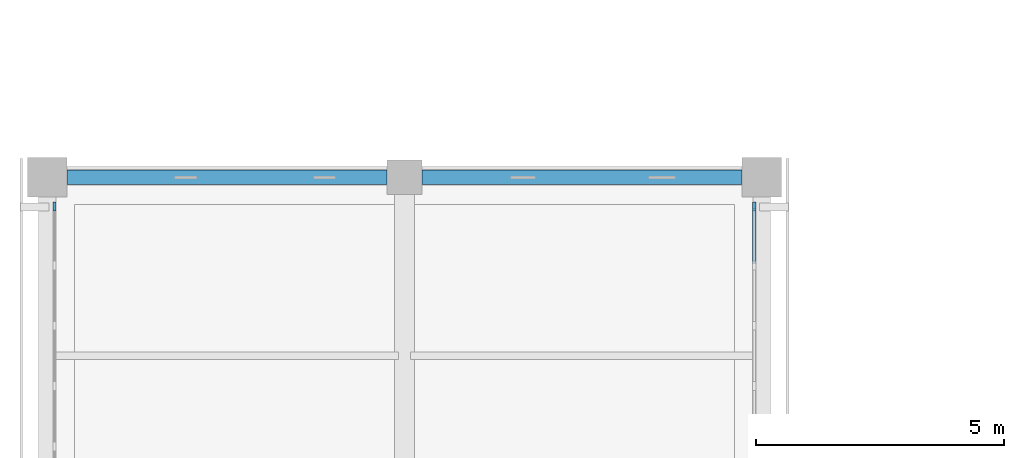
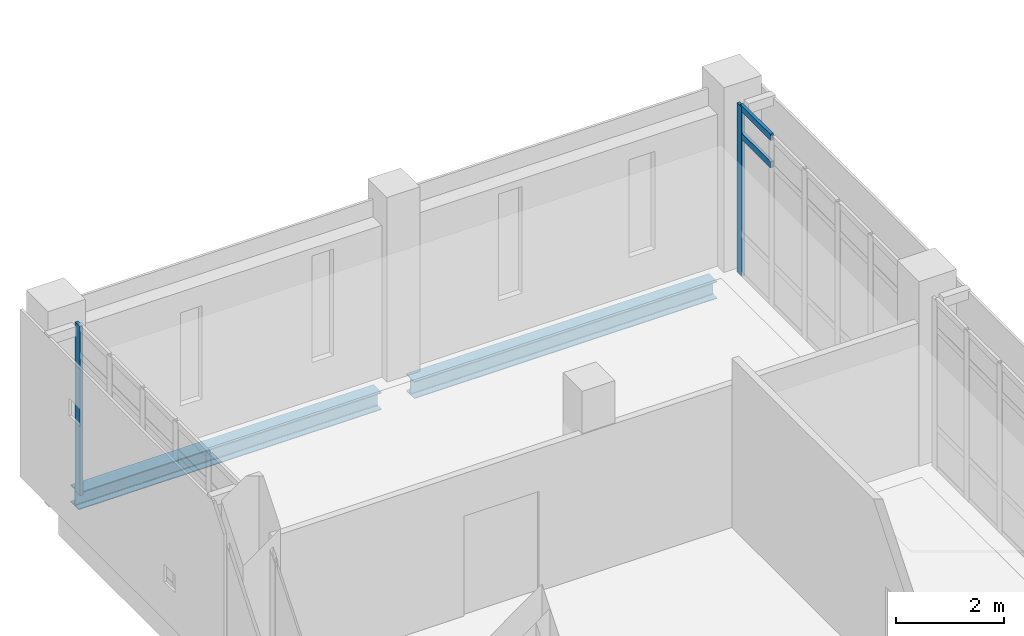
# One storey, part 11 of 33: 4 members, 2 beams, 2 elements without a shape of their own.
"""IFC4 building model written with IfcOpenShell, lengths in metres."""

from ifc_helpers import new_model, si_unit, direction, frame, origin, origin_2d, place, context, subcontext, project, spatial, rectangle, i_section, extrude, material, layer, layer_set, material_profile, profile_set, type_object, element, aggregate, save


model = new_model("IFC4")

# Units and contexts
model_context = context("Model", 3, precision=1e-05, world=origin(), true_north=direction((0.0, 1.0)))
body_context = subcontext(model_context, "Body", "Model", "MODEL_VIEW")
ifc_project = project(units=[si_unit("LENGTHUNIT", "METRE"), si_unit("AREAUNIT", "SQUARE_METRE"), si_unit("VOLUMEUNIT", "CUBIC_METRE"), si_unit("PLANEANGLEUNIT", "RADIAN"), si_unit("MASSUNIT", "GRAM", prefix="KILO")], contexts=[model_context])

# Site, building, storey
site_placement = place(None, origin())
site = spatial("IfcSite", under=ifc_project, at=site_placement, CompositionType="ELEMENT")
building_placement = place(site_placement, origin())
building = spatial("IfcBuilding", under=site, at=building_placement, Name="Valkovuoma Quantum and Materials Research Institute", CompositionType="ELEMENT")
storey_placement = place(building_placement, frame((0.0, 0.0, 21.43994140625)))
storey = spatial("IfcBuildingStorey", under=building, at=storey_placement, Name="L05", CompositionType="ELEMENT", Elevation=21.43994140625)

# Beams
ifc_material_1 = material(Name="Steel S355J2", Category="steel")
ifc_material_profile_1 = material_profile(ifc_material_1, i_section(OverallWidth=0.300048828125, OverallDepth=0.389892578125, WebThickness=0.010986328125, FlangeThickness=0.01904296875, FilletRadius=0.027099609375, at=origin_2d()), Name="Steel S355J2")
ifc_profile_set_1 = profile_set([ifc_material_profile_1], Name="Steel S355J2")
beam_type = type_object("IfcBeamType", Name="Beam-B-HEA400", PredefinedType="SPANDREL", material=ifc_profile_set_1)
beam_1_placement = place(storey_placement, frame((0.39990234375, 93.60009765625, -0.544921875), z_axis=(1.0, 0.0, 0.0), x_axis=(0.0, 1.0, 0.0)))
element("IfcBeam", 1, at=beam_1_placement, inside=storey, type_object=beam_type, Name="L05 beam X-2161", PredefinedType="SPANDREL", context=body_context, shape_type="SweptSolid", body=[
    extrude(i_section(OverallWidth=0.300048828125, OverallDepth=0.389892578125, WebThickness=0.010986328125, FlangeThickness=0.01904296875, FilletRadius=0.027099609375, at=origin_2d()), origin(), (0.0, 0.0, 1.0), 6.4501953125),
])
beam_2_placement = place(storey_placement, frame((7.550048828125, 93.60009765625, -0.544921875), z_axis=(1.0, 0.0, 0.0), x_axis=(0.0, 1.0, 0.0)))
element("IfcBeam", 2, at=beam_2_placement, inside=storey, type_object=beam_type, Name="L05 beam X-2162", PredefinedType="SPANDREL", context=body_context, shape_type="SweptSolid", body=[
    extrude(i_section(OverallWidth=0.300048828125, OverallDepth=0.389892578125, WebThickness=0.010986328125, FlangeThickness=0.01904296875, FilletRadius=0.027099609375, at=origin_2d()), origin(), (0.0, 0.0, 1.0), 6.449951171875),
])

# Curtain wall, member
ifc_material_2 = material(Name="Thermally broken aluminium and triple low-E glazing", Category="aluminium")
ifc_layer = layer(ifc_material_2, 0.219970703125)
ifc_layer_set = layer_set([ifc_layer], Name="Thermally broken aluminium and triple low-E glazing")
curtain_wall_type = type_object("IfcCurtainWallType", Name="CW-CW-01", PredefinedType="NOTDEFINED", material=ifc_layer_set)
curtain_wall_1_placement = place(storey_placement, origin())
curtain_wall_1 = element("IfcCurtainWall", 3, at=curtain_wall_1_placement, inside=storey, type_object=curtain_wall_type, Name="L05 curtain wall 071", PredefinedType="NOTDEFINED")
ifc_material_3 = material(Name="Anodised aluminium 6060-T66", Category="aluminium")
ifc_material_profile_2 = material_profile(ifc_material_3, rectangle(XDim=0.06494140625, YDim=0.179931640625, at=origin_2d()), Name="Anodised aluminium 6060-T66")
ifc_profile_set_2 = profile_set([ifc_material_profile_2], Name="Anodised aluminium 6060-T66")
member_type_1 = type_object("IfcMemberType", Name="CWMull-CWM-01", PredefinedType="MULLION", material=ifc_profile_set_2)
member_1_placement = place(storey_placement, frame((0.14990234375, 93.010498046875, 0.0), z_axis=(0.0, 0.0, 1.0), x_axis=(-1.0, 0.0, 0.0)))
member_1 = element("IfcMember", 4, at=member_1_placement, type_object=member_type_1, Name="CW-01 mullion 6", PredefinedType="MULLION", context=body_context, shape_type="SweptSolid", body=[
    extrude(rectangle(XDim=0.06494140625, YDim=0.179931640625, at=origin_2d()), origin(), (0.0, 0.0, 1.0), 3.81005859375),
])
aggregate(curtain_wall_1, [member_1])

# Curtain wall, members
curtain_wall_2_placement = place(storey_placement, origin())
curtain_wall_2 = element("IfcCurtainWall", 5, at=curtain_wall_2_placement, inside=storey, type_object=curtain_wall_type, Name="L05 curtain wall 072", PredefinedType="NOTDEFINED")
member_2_placement = place(storey_placement, frame((14.25, 93.010498046875, 0.0), z_axis=(0.0, 0.0, 1.0), x_axis=(-1.0, 0.0, 0.0)))
member_2 = element("IfcMember", 6, at=member_2_placement, type_object=member_type_1, Name="CW-01 mullion 6", PredefinedType="MULLION", context=body_context, shape_type="SweptSolid", body=[
    extrude(rectangle(XDim=0.06494140625, YDim=0.179931640625, at=origin_2d()), origin(), (0.0, 0.0, 1.0), 3.81005859375),
])
ifc_material_4 = material(Name="Anodised aluminium 6060-T66", Category="aluminium")
ifc_material_profile_3 = material_profile(ifc_material_4, rectangle(XDim=0.06494140625, YDim=0.139892578125, at=origin_2d()), Name="Anodised aluminium 6060-T66")
ifc_profile_set_3 = profile_set([ifc_material_profile_3], Name="Anodised aluminium 6060-T66")
member_type_2 = type_object("IfcMemberType", Name="CWTran-CWT-01", PredefinedType="USERDEFINED", material=ifc_profile_set_3)
member_3_placement = place(storey_placement, frame((14.25, 91.858154296875, 3.16015625), z_axis=(0.0, 1.0, 0.0), x_axis=(-1.0, 0.0, 0.0)))
member_3 = element("IfcMember", 7, at=member_3_placement, type_object=member_type_2, Name="CW-01 transom 5.3", ObjectType="TRANSOM", PredefinedType="USERDEFINED", context=body_context, shape_type="SweptSolid", body=[
    extrude(rectangle(XDim=0.06494140625, YDim=0.139892578125, at=origin_2d()), origin(), (0.0, 0.0, 1.0), 1.11962890625),
])
member_4_placement = place(storey_placement, frame((14.25, 91.858154296875, 3.777587890625), z_axis=(0.0, 1.0, 0.0), x_axis=(-1.0, 0.0, 0.0)))
member_4 = element("IfcMember", 8, at=member_4_placement, type_object=member_type_2, Name="CW-01 transom 5.4", ObjectType="TRANSOM", PredefinedType="USERDEFINED", context=body_context, shape_type="SweptSolid", body=[
    extrude(rectangle(XDim=0.06494140625, YDim=0.139892578125, at=origin_2d()), origin(), (0.0, 0.0, 1.0), 1.11962890625),
])
aggregate(curtain_wall_2, [member_2, member_3, member_4])

save(model, "model.ifc")
